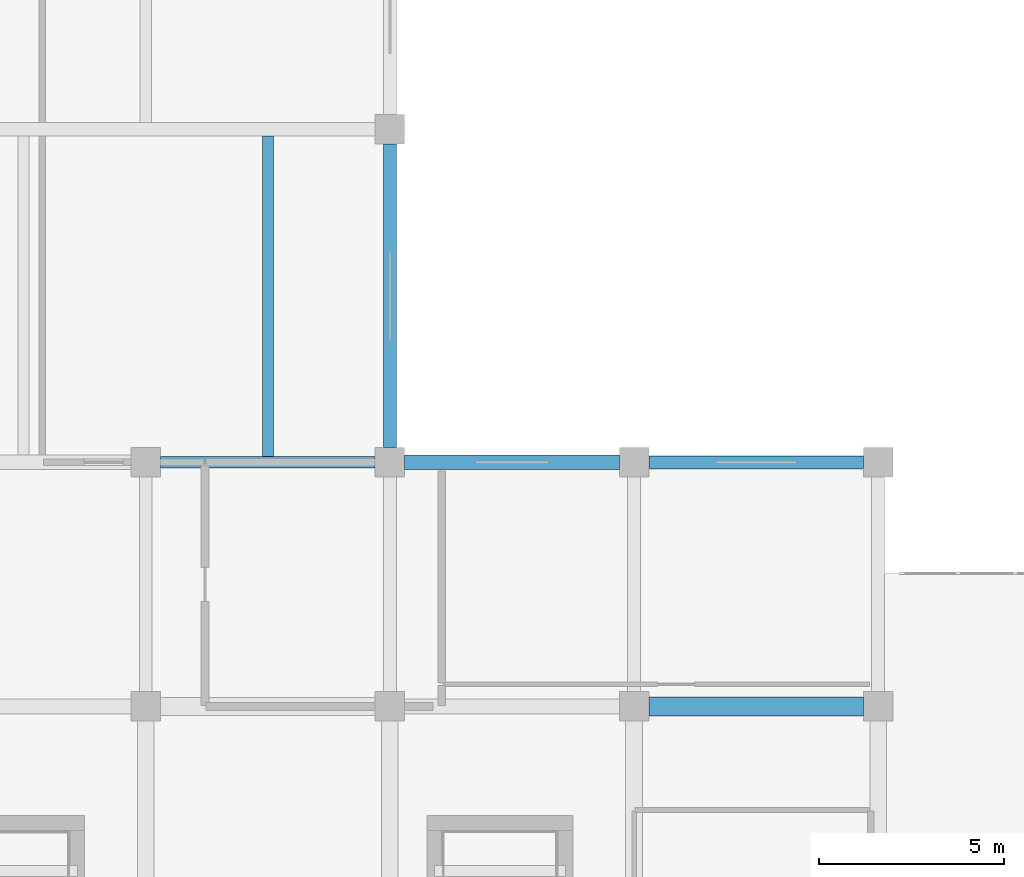
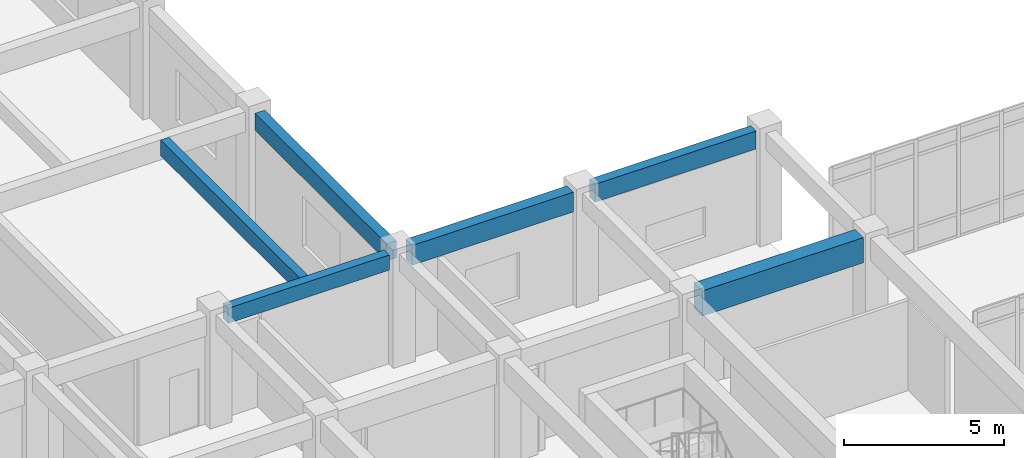
# One storey, part 6 of 54: 6 beams.
"""IFC4 building model written with IfcOpenShell, lengths in metres."""

from ifc_helpers import new_model, si_unit, direction, frame, origin, origin_2d, place, context, subcontext, project, spatial, rectangle, extrude, material, material_profile, profile_set, type_object, element, save


model = new_model("IFC4")

# Units and contexts
model_context = context("Model", 3, precision=1e-05, world=origin(), true_north=direction((0.0, 1.0)))
body_context = subcontext(model_context, "Body", "Model", "MODEL_VIEW")
ifc_project = project(units=[si_unit("LENGTHUNIT", "METRE"), si_unit("AREAUNIT", "SQUARE_METRE"), si_unit("VOLUMEUNIT", "CUBIC_METRE"), si_unit("PLANEANGLEUNIT", "RADIAN"), si_unit("MASSUNIT", "GRAM", prefix="KILO")], contexts=[model_context])

# Site, building, storey
site_placement = place(None, origin())
site = spatial("IfcSite", under=ifc_project, at=site_placement, CompositionType="ELEMENT")
building_placement = place(site_placement, origin())
building = spatial("IfcBuilding", under=site, at=building_placement, Name="Miralva Faculty of Natural Sciences", CompositionType="ELEMENT")
storey_placement = place(building_placement, frame((0.0, 0.0, 19.5)))
storey = spatial("IfcBuildingStorey", under=building, at=storey_placement, Name="L04", CompositionType="ELEMENT", Elevation=19.5)

# Beams
ifc_material = material(Name="Concrete C40/50", Category="concrete")
ifc_material_profile_1 = material_profile(ifc_material, rectangle(XDim=0.39990234375, YDim=0.75, at=origin_2d()), Name="RC 400x750")
ifc_profile_set_1 = profile_set([ifc_material_profile_1], Name="Concrete C40/50")
beam_type_1 = type_object("IfcBeamType", Name="BM-B03", PredefinedType="BEAM", material=ifc_profile_set_1)
beam_1_placement = place(storey_placement, frame((23.199951171875, 30.0, 3.905029296875), z_axis=(1.0, 0.0, 0.0), x_axis=(0.0, 1.0, 0.0)))
element("IfcBeam", 1, at=beam_1_placement, inside=storey, type_object=beam_type_1, Name="Girder EW L04-20", PredefinedType="BEAM", context=body_context, shape_type="SweptSolid", body=[
    extrude(rectangle(XDim=0.39990234375, YDim=0.75, at=origin_2d()), origin(), (0.0, 0.0, 1.0), 5.800048828125),
])
ifc_material_profile_2 = material_profile(ifc_material, rectangle(XDim=0.35009765625, YDim=0.64990234375, at=origin_2d()), Name="RC 350x650")
ifc_profile_set_2 = profile_set([ifc_material_profile_2], Name="Concrete C40/50")
beam_type_2 = type_object("IfcBeamType", Name="BM-B05", PredefinedType="BEAM", material=ifc_profile_set_2)
beam_2_placement = place(storey_placement, frame((22.800048828125, 30.39990234375, 3.85498046875), z_axis=(0.0, 1.0, 0.0), x_axis=(-1.0, 0.0, 0.0)))
element("IfcBeam", 2, at=beam_2_placement, inside=storey, type_object=beam_type_2, Name="Girder NS L04-62", PredefinedType="BEAM", context=body_context, shape_type="SweptSolid", body=[
    extrude(rectangle(XDim=0.35009765625, YDim=0.64990234375, at=origin_2d()), origin(), (0.0, 0.0, 1.0), 8.2001953125),
])
ifc_material_profile_3 = material_profile(ifc_material, rectangle(XDim=0.320068359375, YDim=0.580078125, at=origin_2d()), Name="RC 320x580")
ifc_profile_set_3 = profile_set([ifc_material_profile_3], Name="Concrete C40/50")
beam_type_3 = type_object("IfcBeamType", Name="BM-BG02", PredefinedType="BEAM", material=ifc_profile_set_3)
beam_3_placement = place(storey_placement, frame((16.60009765625, 30.0, 3.889892578125), z_axis=(1.0, 0.0, 0.0), x_axis=(0.0, 1.0, 0.0)))
element("IfcBeam", 3, at=beam_3_placement, inside=storey, type_object=beam_type_3, Name="Girder EW L04-19", PredefinedType="BEAM", context=body_context, shape_type="SweptSolid", body=[
    extrude(rectangle(XDim=0.320068359375, YDim=0.580078125, at=origin_2d()), origin(), (0.0, 0.0, 1.0), 5.7998046875),
])
ifc_material_profile_4 = material_profile(ifc_material, rectangle(XDim=0.340087890625, YDim=0.679931640625, at=origin_2d()), Name="RC 340x680")
ifc_profile_set_4 = profile_set([ifc_material_profile_4], Name="Concrete C40/50")
beam_type_4 = type_object("IfcBeamType", Name="BM-BG04", PredefinedType="BEAM", material=ifc_profile_set_4)
beam_4_placement = place(storey_placement, frame((29.800048828125, 30.0, 3.93994140625), z_axis=(1.0, 0.0, 0.0), x_axis=(0.0, 1.0, 0.0)))
element("IfcBeam", 4, at=beam_4_placement, inside=storey, type_object=beam_type_4, Name="Girder EW L04-21", PredefinedType="BEAM", context=body_context, shape_type="SweptSolid", body=[
    extrude(rectangle(XDim=0.340087890625, YDim=0.679931640625, at=origin_2d()), origin(), (0.0, 0.0, 1.0), 5.800048828125),
])
ifc_material_profile_5 = material_profile(ifc_material, rectangle(XDim=0.52001953125, YDim=0.9599609375, at=origin_2d()), Name="RC 520x960")
ifc_profile_set_5 = profile_set([ifc_material_profile_5], Name="Concrete C40/50")
beam_type_5 = type_object("IfcBeamType", Name="BM-BG20", PredefinedType="BEAM", material=ifc_profile_set_5)
beam_5_placement = place(storey_placement, frame((29.800048828125, 23.39990234375, 3.800048828125), z_axis=(1.0, 0.0, 0.0), x_axis=(0.0, 1.0, 0.0)))
element("IfcBeam", 5, at=beam_5_placement, inside=storey, type_object=beam_type_5, Name="Girder EW L04-15", PredefinedType="BEAM", context=body_context, shape_type="SweptSolid", body=[
    extrude(rectangle(XDim=0.52001953125, YDim=0.9599609375, at=origin_2d()), origin(), (0.0, 0.0, 1.0), 5.800048828125),
])
ifc_material_profile_6 = material_profile(ifc_material, rectangle(XDim=0.300048828125, YDim=0.60009765625, at=origin_2d()), Name="RC 300x600")
ifc_profile_set_6 = profile_set([ifc_material_profile_6], Name="Concrete C40/50")
beam_type_6 = type_object("IfcBeamType", Name="BM-J01", PredefinedType="JOIST", material=ifc_profile_set_6)
beam_6_placement = place(storey_placement, frame((19.5, 30.159912109375, 3.8798828125), z_axis=(0.0, 1.0, 0.0), x_axis=(-1.0, 0.0, 0.0)))
element("IfcBeam", 6, at=beam_6_placement, inside=storey, type_object=beam_type_6, Name="Floor joist L04-8", PredefinedType="JOIST", context=body_context, shape_type="SweptSolid", body=[
    extrude(rectangle(XDim=0.300048828125, YDim=0.60009765625, at=origin_2d()), origin(), (0.0, 0.0, 1.0), 8.66015625),
])

save(model, "model.ifc")
